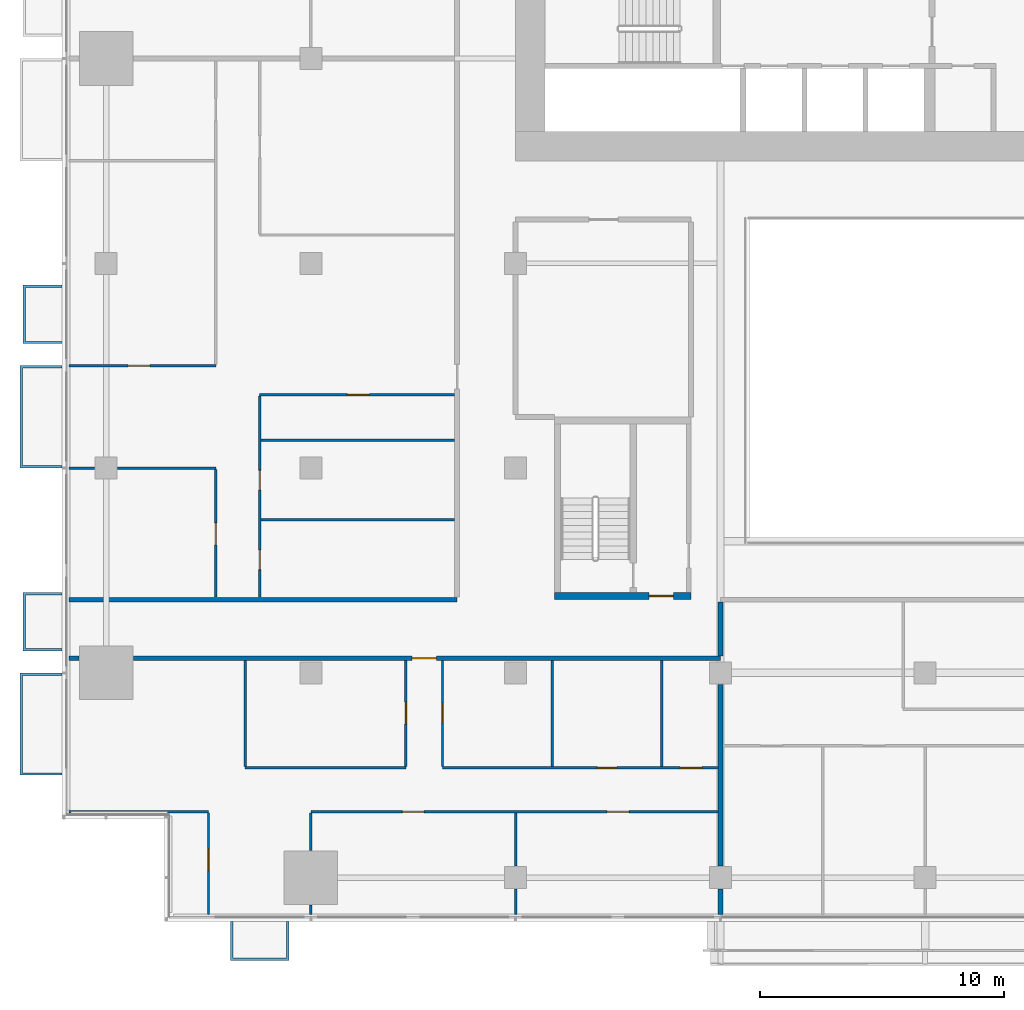
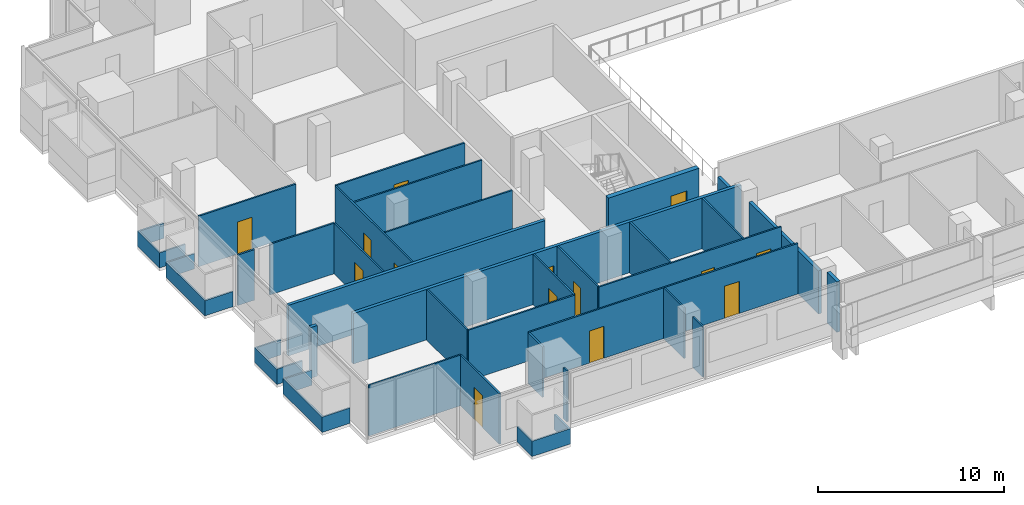
# One storey, part 18 of 27: 34 walls, 14 doors, 14 openings.
"""IFC4 building model written with IfcOpenShell, lengths in metres."""

from ifc_helpers import new_model, si_unit, direction, frame, frame_2d, origin, place, context, subcontext, project, spatial, polyline, rectangle, outline, extrude, material, layer, layer_set, type_object, element, fill, save


model = new_model("IFC4")

# Units and contexts
model_context = context("Model", 3, precision=1e-05, world=origin(), true_north=direction((0.0, 1.0)))
body_context = subcontext(model_context, "Body", "Model", "MODEL_VIEW")
ifc_project = project(units=[si_unit("LENGTHUNIT", "METRE"), si_unit("AREAUNIT", "SQUARE_METRE"), si_unit("VOLUMEUNIT", "CUBIC_METRE"), si_unit("PLANEANGLEUNIT", "RADIAN"), si_unit("MASSUNIT", "GRAM", prefix="KILO")], contexts=[model_context])

# Site, building, storey
site_placement = place(None, origin())
site = spatial("IfcSite", under=ifc_project, at=site_placement, CompositionType="ELEMENT")
building_placement = place(site_placement, origin())
building = spatial("IfcBuilding", under=site, at=building_placement, Name="Saffron Gate Tower", CompositionType="ELEMENT")
storey_placement = place(building_placement, frame((0.0, 0.0, 40.800048828125)))
storey = spatial("IfcBuildingStorey", under=building, at=storey_placement, Name="L08", CompositionType="ELEMENT", Elevation=40.800048828125)

# Wall, opening, door
ifc_material_1 = material(Name="Concrete C70", Category="concrete")
ifc_layer_1 = layer(ifc_material_1, 0.300048828125)
ifc_layer_set_1 = layer_set([ifc_layer_1], Name="CW5 RC core wall 300 C70")
wall_type_1 = type_object("IfcWallType", Name="CW5 RC core wall 300 C70", PredefinedType="SOLIDWALL", material=ifc_layer_set_1)
wall_1_placement = place(storey_placement, frame((68.199951171875, 43.35009765625, 0.0), z_axis=(0.0, 0.0, 1.0), x_axis=(1.0, 0.0, 0.0)))
wall_1 = element("IfcWall", 1, at=wall_1_placement, inside=storey, type_object=wall_type_1, Name="Wall CW5-L08-D-1", PredefinedType="SOLIDWALL", context=body_context, shape_type="SweptSolid", body=[
    extrude(rectangle(XDim=5.60009765625, YDim=0.300048828125, at=frame_2d((2.800048828125, 0.0))), origin(), (0.0, 0.0, 1.0), 3.320068359375),
])
opening_1_placement = place(wall_1_placement, frame((3.875, 0.0, 0.0)))
opening_1 = element("IfcOpeningElement", 2, at=opening_1_placement, cuts=wall_1, Name="Opening CR-18", PredefinedType="OPENING", context=body_context, shape_type="SweptSolid", body=[
    extrude(rectangle(XDim=1.0, YDim=2.10009765625, at=frame_2d((0.5, 1.050048828125))), frame((0.0, 0.16015625, 0.0), z_axis=(0.0, -1.0, 0.0), x_axis=(1.0, 0.0, 0.0)), (0.0, 0.0, 1.0), 0.320068359375),
])
ifc_material_2 = material(Name="Steel fire door set", Category="steel")
door_type_1 = type_object("IfcDoorType", Name="CD4 Lobby door 1000x2100 EI 120", OperationType="NOTDEFINED", PredefinedType="DOOR", material=ifc_material_2)
door_1_placement = place(opening_1_placement, origin())
door_1 = element("IfcDoor", 3, at=door_1_placement, inside=storey, type_object=door_type_1, Name="DOOR CR-18", OperationType="SINGLE_SWING_RIGHT", OverallHeight=2.10009765625, OverallWidth=1.0, PredefinedType="DOOR", context=body_context, shape_type="SweptSolid", body=[
    extrude(rectangle(XDim=1.0, YDim=2.10009765625, at=frame_2d((0.5, 1.050048828125))), frame((0.0, 0.02490234375, 0.0), z_axis=(0.0, -1.0, 0.0), x_axis=(1.0, 0.0, 0.0)), (0.0, 0.0, 1.0), 0.050048828125),
])
fill(opening_1, door_1)

# Wall
ifc_material_3 = material(Name="Plasterboard on steel studs", Category="steel")
ifc_layer_2 = layer(ifc_material_3, 0.10009765625)
ifc_layer_set_2 = layer_set([ifc_layer_2], Name="PW1 Partition 100")
wall_type_2 = type_object("IfcWallType", Name="PW1 Partition 100", PredefinedType="PARTITIONING", material=ifc_layer_set_2)
wall_2_placement = place(storey_placement, frame((48.280029296875, 34.5, 0.0), z_axis=(0.0, 0.0, 1.0), x_axis=(1.0, 0.0, 0.0)))
element("IfcWall", 4, at=wall_2_placement, inside=storey, type_object=wall_type_2, Name="Partition A1-1", PredefinedType="PARTITIONING", context=body_context, shape_type="SweptSolid", body=[
    extrude(rectangle(XDim=5.719970703125, YDim=0.10009765625, at=frame_2d((2.85986328125, 0.0))), origin(), (0.0, 0.0, 1.0), 3.320068359375),
])

# Wall, openings, doors
wall_3_placement = place(storey_placement, frame((74.89990234375, 34.5, 0.0), z_axis=(0.0, 0.0, 1.0), x_axis=(-1.0, 0.0, 0.0)))
wall_3 = element("IfcWall", 5, at=wall_3_placement, inside=storey, type_object=wall_type_2, Name="Partition A1-2", PredefinedType="PARTITIONING", context=body_context, shape_type="SweptSolid", body=[
    extrude(rectangle(XDim=16.699951171875, YDim=0.10009765625, at=frame_2d((8.35009765625, 0.0))), origin(), (0.0, 0.0, 1.0), 3.320068359375),
])
opening_2_placement = place(wall_3_placement, frame((3.64990234375, 0.0, 0.0)))
opening_2 = element("IfcOpeningElement", 6, at=opening_2_placement, cuts=wall_3, Name="Opening A1-10", PredefinedType="OPENING", context=body_context, shape_type="SweptSolid", body=[
    extrude(rectangle(XDim=0.89990234375, YDim=2.10009765625, at=frame_2d((0.449951171875, 1.050048828125))), frame((0.0, 0.06005859375, 0.0), z_axis=(0.0, -1.0, 0.0), x_axis=(1.0, 0.0, 0.0)), (0.0, 0.0, 1.0), 0.1201171875),
])
opening_3_placement = place(wall_3_placement, frame((12.050048828125, 0.0, 0.0)))
opening_3 = element("IfcOpeningElement", 7, at=opening_3_placement, cuts=wall_3, Name="Opening A1-9", PredefinedType="OPENING", context=body_context, shape_type="SweptSolid", body=[
    extrude(rectangle(XDim=0.89990234375, YDim=2.10009765625, at=frame_2d((0.449951171875, 1.050048828125))), frame((0.0, 0.06005859375, 0.0), z_axis=(0.0, -1.0, 0.0), x_axis=(1.0, 0.0, 0.0)), (0.0, 0.0, 1.0), 0.1201171875),
])
ifc_material_4 = material(Name="Timber door set", Category="wood")
door_type_2 = type_object("IfcDoorType", Name="RD1 Room door 900x2100", OperationType="NOTDEFINED", PredefinedType="DOOR", material=ifc_material_4)
door_2_placement = place(opening_2_placement, origin())
door_2 = element("IfcDoor", 8, at=door_2_placement, inside=storey, type_object=door_type_2, Name="Door A1-10", OperationType="SINGLE_SWING_LEFT", OverallHeight=2.10009765625, OverallWidth=0.89990234375, PredefinedType="DOOR", context=body_context, shape_type="SweptSolid", body=[
    extrude(rectangle(XDim=0.89990234375, YDim=2.10009765625, at=frame_2d((0.449951171875, 1.050048828125))), frame((0.0, 0.02490234375, 0.0), z_axis=(0.0, -1.0, 0.0), x_axis=(1.0, 0.0, 0.0)), (0.0, 0.0, 1.0), 0.050048828125),
])
fill(opening_2, door_2)
door_3_placement = place(opening_3_placement, origin())
door_3 = element("IfcDoor", 9, at=door_3_placement, inside=storey, type_object=door_type_2, Name="Door A1-9", OperationType="SINGLE_SWING_RIGHT", OverallHeight=2.10009765625, OverallWidth=0.89990234375, PredefinedType="DOOR", context=body_context, shape_type="SweptSolid", body=[
    extrude(rectangle(XDim=0.89990234375, YDim=2.10009765625, at=frame_2d((0.449951171875, 1.050048828125))), frame((0.0, 0.02490234375, 0.0), z_axis=(0.0, -1.0, 0.0), x_axis=(1.0, 0.0, 0.0)), (0.0, 0.0, 1.0), 0.050048828125),
])
fill(opening_3, door_3)

# Wall
wall_4_placement = place(storey_placement, frame((55.5, 36.300048828125, 0.0), z_axis=(0.0, 0.0, 1.0), x_axis=(1.0, 0.0, 0.0)))
element("IfcWall", 10, at=wall_4_placement, inside=storey, type_object=wall_type_2, Name="Partition A1-5", PredefinedType="PARTITIONING", context=body_context, shape_type="SweptSolid", body=[
    extrude(rectangle(XDim=6.60009765625, YDim=0.10009765625, at=frame_2d((3.300048828125, 0.0))), origin(), (0.0, 0.0, 1.0), 3.320068359375),
])

# Wall, openings, doors
wall_5_placement = place(storey_placement, frame((63.60009765625, 36.300048828125, 0.0), z_axis=(0.0, 0.0, 1.0), x_axis=(1.0, 0.0, 0.0)))
wall_5 = element("IfcWall", 11, at=wall_5_placement, inside=storey, type_object=wall_type_2, Name="Partition A1-6", PredefinedType="PARTITIONING", context=body_context, shape_type="SweptSolid", body=[
    extrude(rectangle(XDim=11.2998046875, YDim=0.10009765625, at=frame_2d((5.64990234375, 0.0))), origin(), (0.0, 0.0, 1.0), 3.320068359375),
])
opening_4_placement = place(wall_5_placement, frame((6.35009765625, 0.0, 0.0)))
opening_4 = element("IfcOpeningElement", 12, at=opening_4_placement, cuts=wall_5, Name="Opening A1-37", PredefinedType="OPENING", context=body_context, shape_type="SweptSolid", body=[
    extrude(rectangle(XDim=0.800048828125, YDim=2.10009765625, at=frame_2d((0.39990234375, 1.050048828125))), frame((0.0, 0.06005859375, 0.0), z_axis=(0.0, -1.0, 0.0), x_axis=(1.0, 0.0, 0.0)), (0.0, 0.0, 1.0), 0.1201171875),
])
opening_5_placement = place(wall_5_placement, frame((9.75, 0.0, 0.0)))
opening_5 = element("IfcOpeningElement", 13, at=opening_5_placement, cuts=wall_5, Name="Opening A1-12", PredefinedType="OPENING", context=body_context, shape_type="SweptSolid", body=[
    extrude(rectangle(XDim=0.89990234375, YDim=2.10009765625, at=frame_2d((0.449951171875, 1.050048828125))), frame((0.0, 0.06005859375, 0.0), z_axis=(0.0, -1.0, 0.0), x_axis=(1.0, 0.0, 0.0)), (0.0, 0.0, 1.0), 0.1201171875),
])
door_4_placement = place(opening_5_placement, origin())
door_4 = element("IfcDoor", 14, at=door_4_placement, inside=storey, type_object=door_type_2, Name="Door A1-12", OperationType="SINGLE_SWING_RIGHT", OverallHeight=2.10009765625, OverallWidth=0.89990234375, PredefinedType="DOOR", context=body_context, shape_type="SweptSolid", body=[
    extrude(rectangle(XDim=0.89990234375, YDim=2.10009765625, at=frame_2d((0.449951171875, 1.050048828125))), frame((0.0, 0.02490234375, 0.0), z_axis=(0.0, -1.0, 0.0), x_axis=(1.0, 0.0, 0.0)), (0.0, 0.0, 1.0), 0.050048828125),
])
fill(opening_5, door_4)
door_type_3 = type_object("IfcDoorType", Name="RD2 Bathroom door 800x2100", OperationType="NOTDEFINED", PredefinedType="DOOR", material=ifc_material_4)
door_5_placement = place(opening_4_placement, origin())
door_5 = element("IfcDoor", 15, at=door_5_placement, inside=storey, type_object=door_type_3, Name="Door A1-37", OperationType="SINGLE_SWING_RIGHT", OverallHeight=2.10009765625, OverallWidth=0.800048828125, PredefinedType="DOOR", context=body_context, shape_type="SweptSolid", body=[
    extrude(rectangle(XDim=0.800048828125, YDim=2.10009765625, at=frame_2d((0.39990234375, 1.050048828125))), frame((0.0, 0.02490234375, 0.0), z_axis=(0.0, -1.0, 0.0), x_axis=(1.0, 0.0, 0.0)), (0.0, 0.0, 1.0), 0.050048828125),
])
fill(opening_4, door_5)

# Walls
wall_6_placement = place(storey_placement, frame((56.14990234375, 46.4716796875, 0.0), z_axis=(0.0, 0.0, 1.0), x_axis=(1.0, 0.0, 0.0)))
element("IfcWall", 16, at=wall_6_placement, inside=storey, type_object=wall_type_2, Name="Partition A1-21", PredefinedType="PARTITIONING", context=body_context, shape_type="SweptSolid", body=[
    extrude(rectangle(XDim=7.9501953125, YDim=0.10009765625, at=frame_2d((3.97509765625, 0.0))), origin(), (0.0, 0.0, 1.0), 3.320068359375),
])
wall_7_placement = place(storey_placement, frame((48.280029296875, 48.60009765625, 0.0), z_axis=(0.0, 0.0, 1.0), x_axis=(1.0, 0.0, 0.0)))
element("IfcWall", 17, at=wall_7_placement, inside=storey, type_object=wall_type_2, Name="Partition A1-24", PredefinedType="PARTITIONING", context=body_context, shape_type="SweptSolid", body=[
    extrude(rectangle(XDim=1.050048828125, YDim=0.10009765625, at=frame_2d((0.52490234375, 0.0))), origin(), (0.0, 0.0, 1.0), 3.320068359375),
])
wall_8_placement = place(storey_placement, frame((50.27001953125, 48.60009765625, 0.0), z_axis=(0.0, 0.0, 1.0), x_axis=(1.0, 0.0, 0.0)))
element("IfcWall", 18, at=wall_8_placement, inside=storey, type_object=wall_type_2, Name="Partition A1-25", PredefinedType="PARTITIONING", context=body_context, shape_type="SweptSolid", body=[
    extrude(rectangle(XDim=4.030029296875, YDim=0.10009765625, at=frame_2d((2.01513671875, 0.0))), origin(), (0.0, 0.0, 1.0), 3.320068359375),
])
wall_9_placement = place(storey_placement, frame((56.14990234375, 49.7431640625, 0.0), z_axis=(0.0, 0.0, 1.0), x_axis=(1.0, 0.0, 0.0)))
element("IfcWall", 19, at=wall_9_placement, inside=storey, type_object=wall_type_2, Name="Partition A1-28", PredefinedType="PARTITIONING", context=body_context, shape_type="SweptSolid", body=[
    extrude(rectangle(XDim=7.9501953125, YDim=0.10009765625, at=frame_2d((3.97509765625, 0.0))), origin(), (0.0, 0.0, 1.0), 3.320068359375),
])

# Wall, opening, door
wall_10_placement = place(storey_placement, frame((64.10009765625, 51.60009765625, 0.0), z_axis=(0.0, 0.0, 1.0), x_axis=(-1.0, 0.0, 0.0)))
wall_10 = element("IfcWall", 20, at=wall_10_placement, inside=storey, type_object=wall_type_2, Name="Partition A1-32", PredefinedType="PARTITIONING", context=body_context, shape_type="SweptSolid", body=[
    extrude(rectangle(XDim=8.0, YDim=0.10009765625, at=frame_2d((4.0, 0.0))), origin(), (0.0, 0.0, 1.0), 3.320068359375),
])
opening_6_placement = place(wall_10_placement, frame((3.5, 0.0, 0.0)))
opening_6 = element("IfcOpeningElement", 21, at=opening_6_placement, cuts=wall_10, Name="Opening A1-27", PredefinedType="OPENING", context=body_context, shape_type="SweptSolid", body=[
    extrude(rectangle(XDim=0.89990234375, YDim=2.10009765625, at=frame_2d((0.449951171875, 1.050048828125))), frame((0.0, 0.06005859375, 0.0), z_axis=(0.0, -1.0, 0.0), x_axis=(1.0, 0.0, 0.0)), (0.0, 0.0, 1.0), 0.1201171875),
])
door_6_placement = place(opening_6_placement, origin())
door_6 = element("IfcDoor", 22, at=door_6_placement, inside=storey, type_object=door_type_2, Name="Door A1-27", OperationType="SINGLE_SWING_LEFT", OverallHeight=2.10009765625, OverallWidth=0.89990234375, PredefinedType="DOOR", context=body_context, shape_type="SweptSolid", body=[
    extrude(rectangle(XDim=0.89990234375, YDim=2.10009765625, at=frame_2d((0.449951171875, 1.050048828125))), frame((0.0, 0.02490234375, 0.0), z_axis=(0.0, -1.0, 0.0), x_axis=(1.0, 0.0, 0.0)), (0.0, 0.0, 1.0), 0.050048828125),
])
fill(opening_6, door_6)

wall_11_placement = place(storey_placement, frame((48.280029296875, 52.800048828125, 0.0), z_axis=(0.0, 0.0, 1.0), x_axis=(1.0, 0.0, 0.0)))
wall_11 = element("IfcWall", 23, at=wall_11_placement, inside=storey, type_object=wall_type_2, Name="Partition A1-33", PredefinedType="PARTITIONING", context=body_context, shape_type="SweptSolid", body=[
    extrude(rectangle(XDim=6.02001953125, YDim=0.10009765625, at=frame_2d((3.010009765625, 0.0))), origin(), (0.0, 0.0, 1.0), 3.320068359375),
])
opening_7_placement = place(wall_11_placement, frame((2.419921875, 0.0, 0.0)))
opening_7 = element("IfcOpeningElement", 24, at=opening_7_placement, cuts=wall_11, Name="Opening A1-24", PredefinedType="OPENING", context=body_context, shape_type="SweptSolid", body=[
    extrude(rectangle(XDim=0.89990234375, YDim=2.10009765625, at=frame_2d((0.449951171875, 1.050048828125))), frame((0.0, 0.06005859375, 0.0), z_axis=(0.0, -1.0, 0.0), x_axis=(1.0, 0.0, 0.0)), (0.0, 0.0, 1.0), 0.1201171875),
])
door_7_placement = place(opening_7_placement, origin())
door_7 = element("IfcDoor", 25, at=door_7_placement, inside=storey, type_object=door_type_2, Name="Door A1-24", OperationType="SINGLE_SWING_LEFT", OverallHeight=2.10009765625, OverallWidth=0.89990234375, PredefinedType="DOOR", context=body_context, shape_type="SweptSolid", body=[
    extrude(rectangle(XDim=0.89990234375, YDim=2.10009765625, at=frame_2d((0.449951171875, 1.050048828125))), frame((0.0, 0.02490234375, 0.0), z_axis=(0.0, -1.0, 0.0), x_axis=(1.0, 0.0, 0.0)), (0.0, 0.0, 1.0), 0.050048828125),
])
fill(opening_7, door_7)

wall_12_placement = place(storey_placement, frame((54.0, 30.280029296875, 0.0), z_axis=(0.0, 0.0, 1.0), x_axis=(0.0, 1.0, 0.0)))
wall_12 = element("IfcWall", 26, at=wall_12_placement, inside=storey, type_object=wall_type_2, Name="Partition A1-52", PredefinedType="PARTITIONING", context=body_context, shape_type="SweptSolid", body=[
    extrude(rectangle(XDim=4.169921875, YDim=0.10009765625, at=frame_2d((2.0849609375, 0.0))), origin(), (0.0, 0.0, 1.0), 3.320068359375),
])
opening_8_placement = place(wall_12_placement, frame((1.802734375, 0.0, 0.0)))
opening_8 = element("IfcOpeningElement", 27, at=opening_8_placement, cuts=wall_12, Name="Opening A1-8", PredefinedType="OPENING", context=body_context, shape_type="SweptSolid", body=[
    extrude(rectangle(XDim=0.89990234375, YDim=2.10009765625, at=frame_2d((0.449951171875, 1.050048828125))), frame((0.0, 0.06005859375, 0.0), z_axis=(0.0, -1.0, 0.0), x_axis=(1.0, 0.0, 0.0)), (0.0, 0.0, 1.0), 0.1201171875),
])
door_8_placement = place(opening_8_placement, origin())
door_8 = element("IfcDoor", 28, at=door_8_placement, inside=storey, type_object=door_type_2, Name="Door A1-8", OperationType="SINGLE_SWING_RIGHT", OverallHeight=2.10009765625, OverallWidth=0.89990234375, PredefinedType="DOOR", context=body_context, shape_type="SweptSolid", body=[
    extrude(rectangle(XDim=0.89990234375, YDim=2.10009765625, at=frame_2d((0.449951171875, 1.050048828125))), frame((0.0, 0.02490234375, 0.0), z_axis=(0.0, -1.0, 0.0), x_axis=(1.0, 0.0, 0.0)), (0.0, 0.0, 1.0), 0.050048828125),
])
fill(opening_8, door_8)

wall_13_placement = place(storey_placement, frame((54.300048828125, 43.300048828125, 0.0), z_axis=(0.0, 0.0, 1.0), x_axis=(0.0, 1.0, 0.0)))
wall_13 = element("IfcWall", 29, at=wall_13_placement, inside=storey, type_object=wall_type_2, Name="Partition A1-53", PredefinedType="PARTITIONING", context=body_context, shape_type="SweptSolid", body=[
    extrude(rectangle(XDim=5.25, YDim=0.10009765625, at=frame_2d((2.625, 0.0))), origin(), (0.0, 0.0, 1.0), 3.320068359375),
])
opening_9_placement = place(wall_13_placement, frame((2.14990234375, 0.0, 0.0)))
opening_9 = element("IfcOpeningElement", 30, at=opening_9_placement, cuts=wall_13, Name="Opening A1-23", PredefinedType="OPENING", context=body_context, shape_type="SweptSolid", body=[
    extrude(rectangle(XDim=0.89990234375, YDim=2.10009765625, at=frame_2d((0.449951171875, 1.050048828125))), frame((0.0, 0.06005859375, 0.0), z_axis=(0.0, -1.0, 0.0), x_axis=(1.0, 0.0, 0.0)), (0.0, 0.0, 1.0), 0.1201171875),
])
door_9_placement = place(opening_9_placement, origin())
door_9 = element("IfcDoor", 31, at=door_9_placement, inside=storey, type_object=door_type_2, Name="Door A1-23", OperationType="SINGLE_SWING_LEFT", OverallHeight=2.10009765625, OverallWidth=0.89990234375, PredefinedType="DOOR", context=body_context, shape_type="SweptSolid", body=[
    extrude(rectangle(XDim=0.89990234375, YDim=2.10009765625, at=frame_2d((0.449951171875, 1.050048828125))), frame((0.0, 0.02490234375, 0.0), z_axis=(0.0, -1.0, 0.0), x_axis=(1.0, 0.0, 0.0)), (0.0, 0.0, 1.0), 0.050048828125),
])
fill(opening_9, door_9)

# Wall
wall_14_placement = place(storey_placement, frame((55.5, 40.699951171875, 0.0), z_axis=(0.0, 0.0, 1.0), x_axis=(0.0, -1.0, 0.0)))
element("IfcWall", 32, at=wall_14_placement, inside=storey, type_object=wall_type_2, Name="Partition A1-56", PredefinedType="PARTITIONING", context=body_context, shape_type="SweptSolid", body=[
    extrude(rectangle(XDim=4.349853515625, YDim=0.10009765625, at=frame_2d((2.1748046875, 0.0))), origin(), (0.0, 0.0, 1.0), 3.320068359375),
])

# Wall, openings, doors
wall_15_placement = place(storey_placement, frame((56.10009765625, 51.550048828125, 0.0), z_axis=(0.0, 0.0, 1.0), x_axis=(0.0, -1.0, 0.0)))
wall_15 = element("IfcWall", 33, at=wall_15_placement, inside=storey, type_object=wall_type_2, Name="Partition A1-57", PredefinedType="PARTITIONING", context=body_context, shape_type="SweptSolid", body=[
    extrude(rectangle(XDim=8.25, YDim=0.10009765625, at=frame_2d((4.125, 0.0))), origin(), (0.0, 0.0, 1.0), 3.320068359375),
])
opening_10_placement = place(wall_15_placement, frame((3.04248046875, 0.0, 0.0)))
opening_10 = element("IfcOpeningElement", 34, at=opening_10_placement, cuts=wall_15, Name="Opening A1-43", PredefinedType="OPENING", context=body_context, shape_type="SweptSolid", body=[
    extrude(rectangle(XDim=0.800048828125, YDim=2.10009765625, at=frame_2d((0.39990234375, 1.050048828125))), frame((0.0, 0.06005859375, 0.0), z_axis=(0.0, -1.0, 0.0), x_axis=(1.0, 0.0, 0.0)), (0.0, 0.0, 1.0), 0.1201171875),
])
opening_11_placement = place(wall_15_placement, frame((6.314208984375, 0.0, 0.0)))
opening_11 = element("IfcOpeningElement", 35, at=opening_11_placement, cuts=wall_15, Name="Opening A1-42", PredefinedType="OPENING", context=body_context, shape_type="SweptSolid", body=[
    extrude(rectangle(XDim=0.800048828125, YDim=2.10009765625, at=frame_2d((0.39990234375, 1.050048828125))), frame((0.0, 0.06005859375, 0.0), z_axis=(0.0, -1.0, 0.0), x_axis=(1.0, 0.0, 0.0)), (0.0, 0.0, 1.0), 0.1201171875),
])
door_10_placement = place(opening_10_placement, origin())
door_10 = element("IfcDoor", 36, at=door_10_placement, inside=storey, type_object=door_type_3, Name="Door A1-43", OperationType="SINGLE_SWING_RIGHT", OverallHeight=2.10009765625, OverallWidth=0.800048828125, PredefinedType="DOOR", context=body_context, shape_type="SweptSolid", body=[
    extrude(rectangle(XDim=0.800048828125, YDim=2.10009765625, at=frame_2d((0.39990234375, 1.050048828125))), frame((0.0, 0.02490234375, 0.0), z_axis=(0.0, -1.0, 0.0), x_axis=(1.0, 0.0, 0.0)), (0.0, 0.0, 1.0), 0.050048828125),
])
fill(opening_10, door_10)
door_11_placement = place(opening_11_placement, origin())
door_11 = element("IfcDoor", 37, at=door_11_placement, inside=storey, type_object=door_type_3, Name="Door A1-42", OperationType="SINGLE_SWING_RIGHT", OverallHeight=2.10009765625, OverallWidth=0.800048828125, PredefinedType="DOOR", context=body_context, shape_type="SweptSolid", body=[
    extrude(rectangle(XDim=0.800048828125, YDim=2.10009765625, at=frame_2d((0.39990234375, 1.050048828125))), frame((0.0, 0.02490234375, 0.0), z_axis=(0.0, -1.0, 0.0), x_axis=(1.0, 0.0, 0.0)), (0.0, 0.0, 1.0), 0.050048828125),
])
fill(opening_11, door_11)

# Walls
wall_16_placement = place(storey_placement, frame((58.199951171875, 30.679931640625, 0.0), z_axis=(0.0, 0.0, 1.0), x_axis=(0.0, -1.0, 0.0)))
element("IfcWall", 38, at=wall_16_placement, inside=storey, type_object=wall_type_2, Name="Partition A1-59", PredefinedType="PARTITIONING", context=body_context, shape_type="SweptSolid", body=[
    extrude(rectangle(XDim=0.39990234375, YDim=0.10009765625, at=frame_2d((0.199951171875, 0.0))), origin(), (0.0, 0.0, 1.0), 3.320068359375),
])
wall_17_placement = place(storey_placement, frame((58.199951171875, 34.449951171875, 0.0), z_axis=(0.0, 0.0, 1.0), x_axis=(0.0, -1.0, 0.0)))
element("IfcWall", 39, at=wall_17_placement, inside=storey, type_object=wall_type_2, Name="Partition A1-60", PredefinedType="PARTITIONING", context=body_context, shape_type="SweptSolid", body=[
    extrude(rectangle(XDim=1.530029296875, YDim=0.10009765625, at=frame_2d((0.76513671875, 0.0))), origin(), (0.0, 0.0, 1.0), 3.320068359375),
])

# Wall, opening, door
wall_18_placement = place(storey_placement, frame((62.10009765625, 36.35009765625, 0.0), z_axis=(0.0, 0.0, 1.0), x_axis=(0.0, 1.0, 0.0)))
wall_18 = element("IfcWall", 40, at=wall_18_placement, inside=storey, type_object=wall_type_2, Name="Partition A1-62", PredefinedType="PARTITIONING", context=body_context, shape_type="SweptSolid", body=[
    extrude(rectangle(XDim=4.349853515625, YDim=0.10009765625, at=frame_2d((2.1748046875, 0.0))), origin(), (0.0, 0.0, 1.0), 3.320068359375),
])
opening_12_placement = place(wall_18_placement, frame((1.75, 0.0, 0.0)))
opening_12 = element("IfcOpeningElement", 41, at=opening_12_placement, cuts=wall_18, Name="Opening A1-11", PredefinedType="OPENING", context=body_context, shape_type="SweptSolid", body=[
    extrude(rectangle(XDim=0.89990234375, YDim=2.10009765625, at=frame_2d((0.449951171875, 1.050048828125))), frame((0.0, 0.06005859375, 0.0), z_axis=(0.0, -1.0, 0.0), x_axis=(1.0, 0.0, 0.0)), (0.0, 0.0, 1.0), 0.1201171875),
])
door_12_placement = place(opening_12_placement, origin())
door_12 = element("IfcDoor", 42, at=door_12_placement, inside=storey, type_object=door_type_2, Name="Door A1-11", OperationType="SINGLE_SWING_RIGHT", OverallHeight=2.10009765625, OverallWidth=0.89990234375, PredefinedType="DOOR", context=body_context, shape_type="SweptSolid", body=[
    extrude(rectangle(XDim=0.89990234375, YDim=2.10009765625, at=frame_2d((0.449951171875, 1.050048828125))), frame((0.0, 0.02490234375, 0.0), z_axis=(0.0, -1.0, 0.0), x_axis=(1.0, 0.0, 0.0)), (0.0, 0.0, 1.0), 0.050048828125),
])
fill(opening_12, door_12)

wall_19_placement = place(storey_placement, frame((63.60009765625, 40.699951171875, 0.0), z_axis=(0.0, 0.0, 1.0), x_axis=(0.0, -1.0, 0.0)))
wall_19 = element("IfcWall", 43, at=wall_19_placement, inside=storey, type_object=wall_type_2, Name="Partition A1-63", PredefinedType="PARTITIONING", context=body_context, shape_type="SweptSolid", body=[
    extrude(rectangle(XDim=4.349853515625, YDim=0.10009765625, at=frame_2d((2.1748046875, 0.0))), origin(), (0.0, 0.0, 1.0), 3.320068359375),
])
opening_13_placement = place(wall_19_placement, frame((1.75, 0.0, 0.0)))
opening_13 = element("IfcOpeningElement", 44, at=opening_13_placement, cuts=wall_19, Name="Opening A1-36", PredefinedType="OPENING", context=body_context, shape_type="SweptSolid", body=[
    extrude(rectangle(XDim=0.800048828125, YDim=2.10009765625, at=frame_2d((0.39990234375, 1.050048828125))), frame((0.0, 0.06005859375, 0.0), z_axis=(0.0, -1.0, 0.0), x_axis=(1.0, 0.0, 0.0)), (0.0, 0.0, 1.0), 0.1201171875),
])
door_13_placement = place(opening_13_placement, origin())
door_13 = element("IfcDoor", 45, at=door_13_placement, inside=storey, type_object=door_type_3, Name="Door A1-36", OperationType="SINGLE_SWING_LEFT", OverallHeight=2.10009765625, OverallWidth=0.800048828125, PredefinedType="DOOR", context=body_context, shape_type="SweptSolid", body=[
    extrude(rectangle(XDim=0.800048828125, YDim=2.10009765625, at=frame_2d((0.39990234375, 1.050048828125))), frame((0.0, 0.02490234375, 0.0), z_axis=(0.0, -1.0, 0.0), x_axis=(1.0, 0.0, 0.0)), (0.0, 0.0, 1.0), 0.050048828125),
])
fill(opening_13, door_13)

# Walls
wall_20_placement = place(storey_placement, frame((66.60009765625, 31.330078125, 0.0), z_axis=(0.0, 0.0, 1.0), x_axis=(0.0, -1.0, 0.0)))
element("IfcWall", 46, at=wall_20_placement, inside=storey, type_object=wall_type_2, Name="Partition A1-67", PredefinedType="PARTITIONING", context=body_context, shape_type="SweptSolid", body=[
    extrude(rectangle(XDim=1.050048828125, YDim=0.10009765625, at=frame_2d((0.52490234375, 0.0))), origin(), (0.0, 0.0, 1.0), 3.320068359375),
])
wall_21_placement = place(storey_placement, frame((66.60009765625, 34.449951171875, 0.0), z_axis=(0.0, 0.0, 1.0), x_axis=(0.0, -1.0, 0.0)))
element("IfcWall", 47, at=wall_21_placement, inside=storey, type_object=wall_type_2, Name="Partition A1-68", PredefinedType="PARTITIONING", context=body_context, shape_type="SweptSolid", body=[
    extrude(rectangle(XDim=2.179931640625, YDim=0.10009765625, at=frame_2d((1.08984375, 0.0))), origin(), (0.0, 0.0, 1.0), 3.320068359375),
])
for number, where, z_axis, x_axis, name in (
    (48, (68.10009765625, 40.699951171875, 0.0), (0.0, 0.0, 1.0), (0.0, -1.0, 0.0), "Partition A1-69"),
    (49, (72.60009765625, 40.699951171875, 0.0), (0.0, 0.0, 1.0), (0.0, -1.0, 0.0), "Partition A1-70"),
):
    element("IfcWall", number, at=place(storey_placement, frame(where, z_axis=z_axis, x_axis=x_axis)), inside=storey, type_object=wall_type_2, Name=name, PredefinedType="PARTITIONING", context=body_context, shape_type="SweptSolid", body=[
        extrude(rectangle(XDim=4.349853515625, YDim=0.10009765625, at=frame_2d((2.1748046875, 0.0))), origin(), (0.0, 0.0, 1.0), 3.320068359375),
    ])
ifc_material_5 = material(Name="Clay brick masonry, rendered", Category="masonry")
ifc_layer_3 = layer(ifc_material_5, 0.199951171875)
ifc_layer_set_3 = layer_set([ifc_layer_3], Name="PW2 Demising wall 200")
wall_type_3 = type_object("IfcWallType", Name="PW2 Demising wall 200", PredefinedType="PARTITIONING", material=ifc_layer_set_3)
wall_22_placement = place(storey_placement, frame((75.0, 31.330078125, 0.0), z_axis=(0.0, 0.0, 1.0), x_axis=(0.0, -1.0, 0.0)))
element("IfcWall", 50, at=wall_22_placement, inside=storey, type_object=wall_type_3, Name="Wall A1-73", PredefinedType="PARTITIONING", context=body_context, shape_type="SweptSolid", body=[
    extrude(rectangle(XDim=1.050048828125, YDim=0.199951171875, at=frame_2d((0.52490234375, 0.0))), origin(), (0.0, 0.0, 1.0), 3.320068359375),
])
wall_23_placement = place(storey_placement, frame((75.0, 39.72998046875, 0.0), z_axis=(0.0, 0.0, 1.0), x_axis=(0.0, -1.0, 0.0)))
element("IfcWall", 51, at=wall_23_placement, inside=storey, type_object=wall_type_3, Name="Wall A1-74", PredefinedType="PARTITIONING", context=body_context, shape_type="SweptSolid", body=[
    extrude(rectangle(XDim=7.4599609375, YDim=0.199951171875, at=frame_2d((3.72998046875, 0.0))), origin(), (0.0, 0.0, 1.0), 2.829833984375),
])
ifc_layer_4 = layer(ifc_material_5, 0.199951171875)
ifc_layer_set_4 = layer_set([ifc_layer_4], Name="PW3 Corridor wall 200")
wall_type_4 = type_object("IfcWallType", Name="PW3 Corridor wall 200", PredefinedType="PARTITIONING", material=ifc_layer_set_4)
wall_24_placement = place(storey_placement, frame((48.280029296875, 40.800048828125, 0.0), z_axis=(0.0, 0.0, 1.0), x_axis=(1.0, 0.0, 0.0)))
element("IfcWall", 52, at=wall_24_placement, inside=storey, type_object=wall_type_4, Name="Wall A1-13", PredefinedType="PARTITIONING", context=body_context, shape_type="SweptSolid", body=[
    extrude(rectangle(XDim=0.39990234375, YDim=0.199951171875, at=frame_2d((0.199951171875, 0.0))), origin(), (0.0, 0.0, 1.0), 3.320068359375),
])

# Wall, opening, door
wall_25_placement = place(storey_placement, frame((75.0, 40.800048828125, 0.0), z_axis=(0.0, 0.0, 1.0), x_axis=(-1.0, 0.0, 0.0)))
wall_25 = element("IfcWall", 53, at=wall_25_placement, inside=storey, type_object=wall_type_4, Name="Wall A1-14", PredefinedType="PARTITIONING", context=body_context, shape_type="SweptSolid", body=[
    extrude(rectangle(XDim=24.080078125, YDim=0.199951171875, at=frame_2d((12.0400390625, 0.0))), origin(), (0.0, 0.0, 1.0), 3.320068359375),
])
opening_14_placement = place(wall_25_placement, frame((11.64990234375, 0.0, 0.0)))
opening_14 = element("IfcOpeningElement", 54, at=opening_14_placement, cuts=wall_25, Name="Opening A1-1", PredefinedType="OPENING", context=body_context, shape_type="SweptSolid", body=[
    extrude(rectangle(XDim=1.0, YDim=2.10009765625, at=frame_2d((0.5, 1.050048828125))), frame((0.0, 0.10986328125, 0.0), z_axis=(0.0, -1.0, 0.0), x_axis=(1.0, 0.0, 0.0)), (0.0, 0.0, 1.0), 0.219970703125),
])
ifc_material_6 = material(Name="Timber fire door set", Category="wood")
door_type_4 = type_object("IfcDoorType", Name="FD1 Flat entry door 1000x2100", OperationType="NOTDEFINED", PredefinedType="DOOR", material=ifc_material_6)
door_14_placement = place(opening_14_placement, origin())
door_14 = element("IfcDoor", 55, at=door_14_placement, inside=storey, type_object=door_type_4, Name="Door A1-1", OperationType="SINGLE_SWING_LEFT", OverallHeight=2.10009765625, OverallWidth=1.0, PredefinedType="DOOR", context=body_context, shape_type="SweptSolid", body=[
    extrude(rectangle(XDim=1.0, YDim=2.10009765625, at=frame_2d((0.5, 1.050048828125))), frame((0.0, 0.02490234375, 0.0), z_axis=(0.0, -1.0, 0.0), x_axis=(1.0, 0.0, 0.0)), (0.0, 0.0, 1.0), 0.050048828125),
])
fill(opening_14, door_14)

# Walls
wall_26_placement = place(storey_placement, frame((48.280029296875, 43.199951171875, 0.0), z_axis=(0.0, 0.0, 1.0), x_axis=(1.0, 0.0, 0.0)))
element("IfcWall", 56, at=wall_26_placement, inside=storey, type_object=wall_type_4, Name="Wall A1-17", PredefinedType="PARTITIONING", context=body_context, shape_type="SweptSolid", body=[
    extrude(rectangle(XDim=15.919921875, YDim=0.199951171875, at=frame_2d((7.9599609375, 0.0))), origin(), (0.0, 0.0, 1.0), 3.320068359375),
])
wall_27_placement = place(storey_placement, frame((75.0, 43.10009765625, 0.0), z_axis=(0.0, 0.0, 1.0), x_axis=(0.0, -1.0, 0.0)))
element("IfcWall", 57, at=wall_27_placement, inside=storey, type_object=wall_type_4, Name="Wall A1-72", PredefinedType="PARTITIONING", context=body_context, shape_type="SweptSolid", body=[
    extrude(rectangle(XDim=2.2001953125, YDim=0.199951171875, at=frame_2d((1.10009765625, 0.0))), origin(), (0.0, 0.0, 1.0), 2.429931640625),
])
ifc_material_7 = material(Name="Rendered insulated panel, white")
ifc_layer_5 = layer(ifc_material_7, 0.10009765625)
ifc_layer_set_5 = layer_set([ifc_layer_5], Name="WB3 box parapet white")
wall_type_5 = type_object("IfcWallType", Name="WB3 box parapet white", PredefinedType="SOLIDWALL", material=ifc_layer_set_5)
wall_28_placement = place(storey_placement, origin())
element("IfcWall", 58, at=wall_28_placement, inside=storey, type_object=wall_type_5, Name="WINDOW BOX parapet", PredefinedType="SOLIDWALL", context=body_context, shape_type="SweptSolid", body=[
    extrude(outline(polyline([(54.89990234375, 30.0), (55.0, 30.0), (55.0, 28.5), (57.199951171875, 28.5), (57.199951171875, 30.0), (57.300048828125, 30.0), (57.300048828125, 28.39990234375), (54.89990234375, 28.39990234375), (54.89990234375, 30.0)])), origin(), (0.0, 0.0, 1.0), 1.0),
])
wall_29_placement = place(storey_placement, origin())
element("IfcWall", 59, at=wall_29_placement, inside=storey, type_object=wall_type_5, Name="WINDOW BOX parapet", PredefinedType="SOLIDWALL", context=body_context, shape_type="SweptSolid", body=[
    extrude(outline(polyline([(48.0, 56.10009765625), (48.0, 56.0), (46.5, 56.0), (46.5, 53.800048828125), (48.0, 53.800048828125), (48.0, 53.699951171875), (46.39990234375, 53.699951171875), (46.39990234375, 56.10009765625), (48.0, 56.10009765625)])), origin(), (0.0, 0.0, 1.0), 1.0),
])
wall_30_placement = place(storey_placement, origin())
element("IfcWall", 60, at=wall_30_placement, inside=storey, type_object=wall_type_5, Name="WINDOW BOX parapet", PredefinedType="SOLIDWALL", context=body_context, shape_type="SweptSolid", body=[
    extrude(outline(polyline([(48.0, 52.800048828125), (48.0, 52.699951171875), (46.366943359375, 52.699951171875), (46.366943359375, 48.699951171875), (48.0, 48.699951171875), (48.0, 48.60009765625), (46.26708984375, 48.60009765625), (46.26708984375, 52.800048828125), (48.0, 52.800048828125)])), origin(), (0.0, 0.0, 1.0), 1.0),
])
wall_31_placement = place(storey_placement, origin())
element("IfcWall", 61, at=wall_31_placement, inside=storey, type_object=wall_type_5, Name="WINDOW BOX parapet", PredefinedType="SOLIDWALL", context=body_context, shape_type="SweptSolid", body=[
    extrude(outline(polyline([(48.0, 43.5), (48.0, 43.39990234375), (46.5, 43.39990234375), (46.5, 41.199951171875), (48.0, 41.199951171875), (48.0, 41.10009765625), (46.39990234375, 41.10009765625), (46.39990234375, 43.5), (48.0, 43.5)])), origin(), (0.0, 0.0, 1.0), 1.0),
])
wall_32_placement = place(storey_placement, origin())
element("IfcWall", 62, at=wall_32_placement, inside=storey, type_object=wall_type_5, Name="WINDOW BOX parapet", PredefinedType="SOLIDWALL", context=body_context, shape_type="SweptSolid", body=[
    extrude(outline(polyline([(48.0, 40.199951171875), (48.0, 40.10009765625), (46.366943359375, 40.10009765625), (46.366943359375, 36.10009765625), (48.0, 36.10009765625), (48.0, 36.0), (46.26708984375, 36.0), (46.26708984375, 40.199951171875), (48.0, 40.199951171875)])), origin(), (0.0, 0.0, 1.0), 1.0),
])

save(model, "model.ifc")
